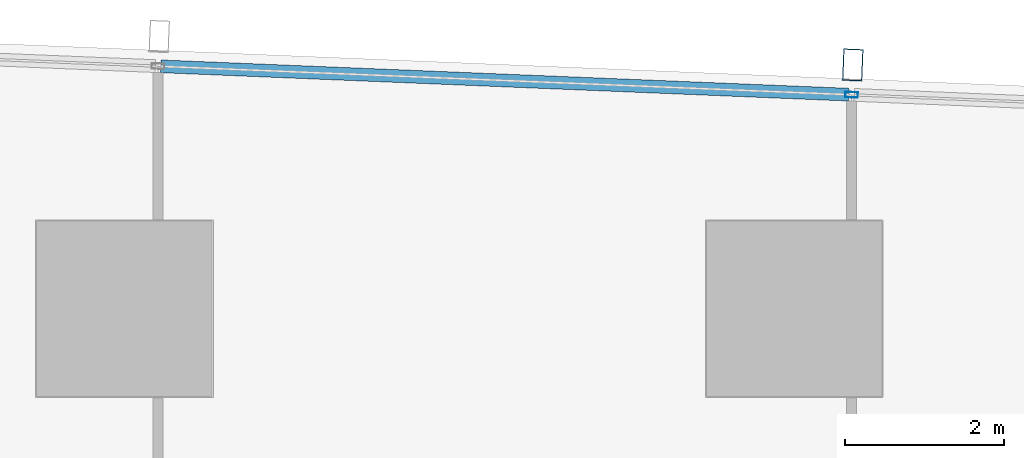
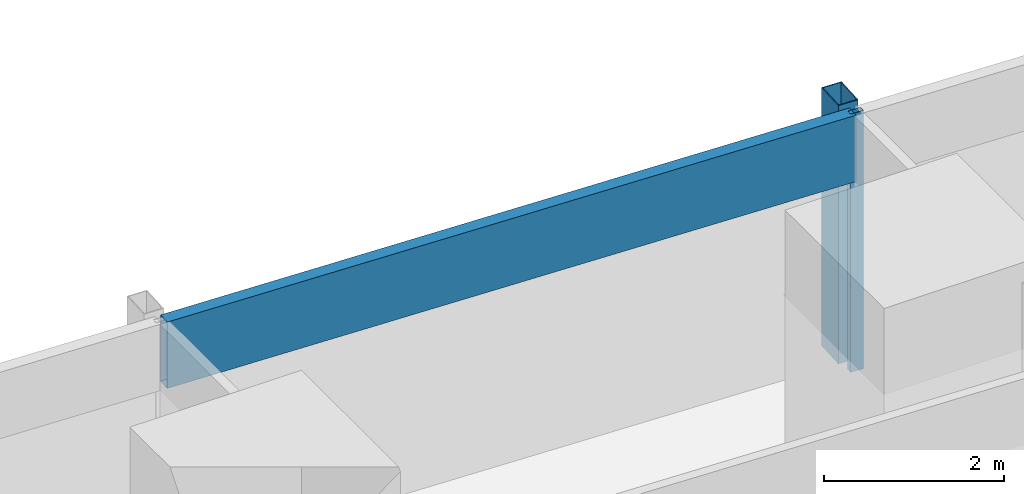
# One storey, part 21 of 44: 3 members, 1 element without a shape of its own.
"""IFC4 building model written with IfcOpenShell, lengths in metres."""

from ifc_helpers import new_model, si_unit, direction, frame, origin, origin_2d, place, context, subcontext, project, spatial, hollow_rectangle, extrude, material, material_profile, profile_set, type_object, element, aggregate, save


model = new_model("IFC4")

# Units and contexts
model_context = context("Model", 3, precision=1e-05, world=origin(), true_north=direction((0.0, 1.0)))
body_context = subcontext(model_context, "Body", "Model", "MODEL_VIEW")
ifc_project = project(units=[si_unit("LENGTHUNIT", "METRE"), si_unit("AREAUNIT", "SQUARE_METRE"), si_unit("VOLUMEUNIT", "CUBIC_METRE"), si_unit("PLANEANGLEUNIT", "RADIAN"), si_unit("MASSUNIT", "GRAM", prefix="KILO")], contexts=[model_context])

# Site, building, storey
site_placement = place(None, origin())
site = spatial("IfcSite", under=ifc_project, at=site_placement, CompositionType="ELEMENT")
building_placement = place(site_placement, origin())
building = spatial("IfcBuilding", under=site, at=building_placement, Name="Rekha Terrace Tower", CompositionType="ELEMENT")
storey_placement = place(building_placement, frame((0.0, 0.0, 66.64990234375)))
storey = spatial("IfcBuildingStorey", under=building, at=storey_placement, Name="L16", CompositionType="ELEMENT", Elevation=66.64990234375)

# Curtain wall, members
ifc_material_1 = material(Name="Aluminium framing", Category="aluminium")
curtain_wall_type = type_object("IfcCurtainWallType", Name="CW3 north unitised glazing", PredefinedType="USERDEFINED", material=ifc_material_1)
curtain_wall_placement = place(storey_placement, origin())
curtain_wall = element("IfcCurtainWall", 1, at=curtain_wall_placement, inside=storey, type_object=curtain_wall_type, Name="CW3 unitised curtain wall", ObjectType="UNITISED CURTAIN WALL", PredefinedType="USERDEFINED")
ifc_material_2 = material(Name="Steel S355 with fluorocarbon finish", Category="steel")
ifc_material_profile_1 = material_profile(ifc_material_2, hollow_rectangle(XDim=0.25, YDim=0.39990234375, WallThickness=0.012451171875, at=origin_2d()), Name="RHS400x250x12.5")
ifc_profile_set_1 = profile_set([ifc_material_profile_1], Name="Steel S355 with fluorocarbon finish")
member_type_1 = type_object("IfcMemberType", Name="BL1 facade blade RHS 400 x 250", PredefinedType="USERDEFINED", material=ifc_profile_set_1)
member_1_placement = place(storey_placement, frame((42.73388671875, 61.857421875, 0.0), z_axis=(0.0, 0.0, 1.0), x_axis=(-0.99915196507, 0.041174636562, 0.0)))
member_1 = element("IfcMember", 2, at=member_1_placement, type_object=member_type_1, Name="Facade blade", ObjectType="FACADE BLADE", PredefinedType="USERDEFINED", context=body_context, shape_type="SweptSolid", body=[
    extrude(hollow_rectangle(XDim=0.25, YDim=0.39990234375, WallThickness=0.012451171875, at=origin_2d()), origin(), (0.0, 0.0, 1.0), 3.5),
])
ifc_material_3 = material(Name="Aluminium mullion section", Category="aluminium")
ifc_material_profile_2 = material_profile(ifc_material_3, hollow_rectangle(XDim=0.070068359375, YDim=0.159912109375, WallThickness=0.00390625, at=origin_2d()), Name="AL RHS 70x160")
ifc_profile_set_2 = profile_set([ifc_material_profile_2], Name="Aluminium mullion section")
member_type_2 = type_object("IfcMemberType", Name="CW3 mullion RHS 70 x 160", PredefinedType="MULLION", material=ifc_profile_set_2)
member_2_placement = place(storey_placement, frame((42.718505859375, 61.48291015625, 0.0), z_axis=(0.0, 0.0, 1.0), x_axis=(-0.041173846041, -0.999151997647, 0.0)))
member_2 = element("IfcMember", 3, at=member_2_placement, type_object=member_type_2, Name="CW3 mullion 4", PredefinedType="MULLION", context=body_context, shape_type="SweptSolid", body=[
    extrude(hollow_rectangle(XDim=0.070068359375, YDim=0.159912109375, WallThickness=0.00390625, at=origin_2d()), origin(), (0.0, 0.0, 1.0), 3.5),
])
ifc_material_4 = material(Name="Insulated aluminium spandrel box", Category="aluminium")
ifc_material_profile_3 = material_profile(ifc_material_4, hollow_rectangle(XDim=0.159912109375, YDim=0.89990234375, WallThickness=0.0029296875, at=origin_2d()), Name="AL SPANDREL BOX 160x900")
ifc_profile_set_3 = profile_set([ifc_material_profile_3], Name="Insulated aluminium spandrel box")
member_type_3 = type_object("IfcMemberType", Name="CW3 spandrel transom 160 x 900", PredefinedType="USERDEFINED", material=ifc_profile_set_3)
member_3_placement = place(storey_placement, frame((42.68359375, 61.484375, 3.050048828125), z_axis=(-0.999152128669, 0.041170666459, 0.0), x_axis=(-0.041170666459, -0.999152128669, 0.0)))
member_3 = element("IfcMember", 4, at=member_3_placement, type_object=member_type_3, Name="CW3 spandrel transom 4", ObjectType="TRANSOM", PredefinedType="USERDEFINED", context=body_context, shape_type="SweptSolid", body=[
    extrude(hollow_rectangle(XDim=0.159912109375, YDim=0.89990234375, WallThickness=0.0029296875, at=origin_2d()), origin(), (0.0, 0.0, 1.0), 8.634033203125),
])
aggregate(curtain_wall, [member_2, member_3, member_1])

save(model, "model.ifc")
